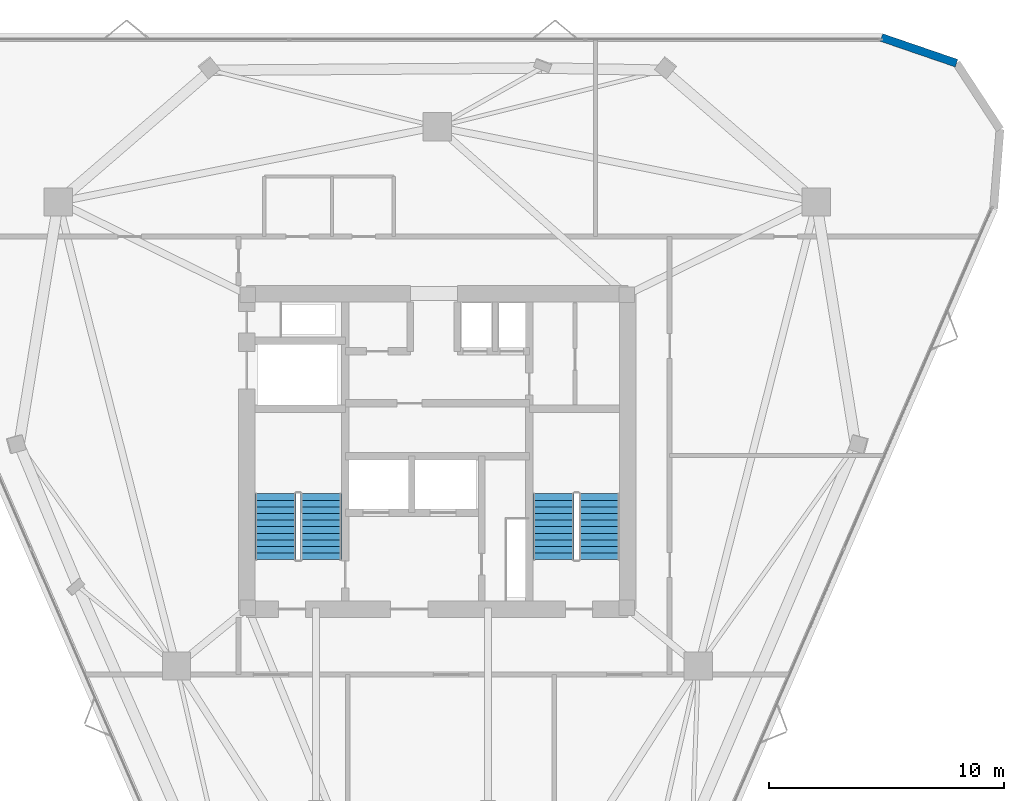
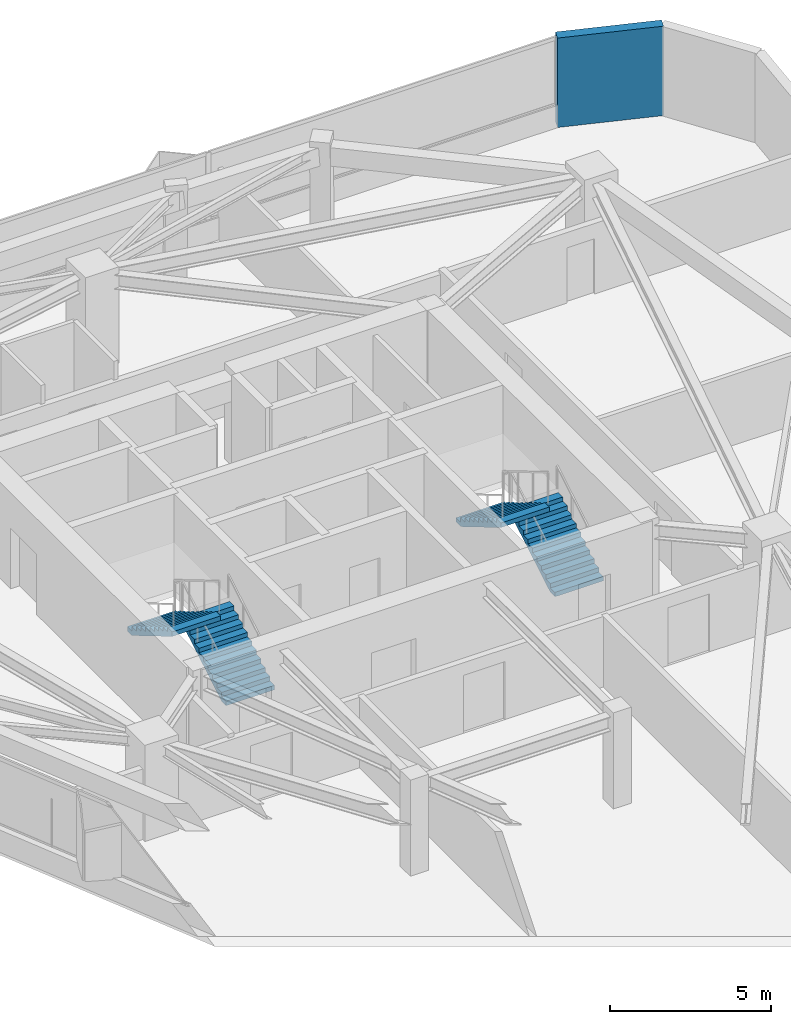
# One storey, part 10 of 11: 4 stair flights, 1 wall, 2 elements without a shape of their own.
"""IFC4 building model written with IfcOpenShell, lengths in metres."""

from ifc_helpers import new_model, si_unit, direction, frame, frame_2d, origin, place, context, subcontext, project, spatial, polyline, rectangle, outline, extrude, material, layer, layer_set, type_object, element, aggregate, save


model = new_model("IFC4")

# Units and contexts
model_context = context("Model", 3, precision=1e-05, world=origin(), true_north=direction((0.0, 1.0)))
body_context = subcontext(model_context, "Body", "Model", "MODEL_VIEW")
ifc_project = project(units=[si_unit("LENGTHUNIT", "METRE"), si_unit("AREAUNIT", "SQUARE_METRE"), si_unit("VOLUMEUNIT", "CUBIC_METRE"), si_unit("PLANEANGLEUNIT", "RADIAN"), si_unit("MASSUNIT", "GRAM", prefix="KILO")], contexts=[model_context])

# Site, building, storey
site_placement = place(None, origin())
site = spatial("IfcSite", under=ifc_project, at=site_placement, CompositionType="ELEMENT")
building_placement = place(site_placement, origin())
building = spatial("IfcBuilding", under=site, at=building_placement, Name="Talyreon Biosciences Tower", CompositionType="ELEMENT")
storey_placement = place(building_placement, frame((0.0, 0.0, 242.550048828125)))
storey = spatial("IfcBuildingStorey", under=building, at=storey_placement, Name="L64", CompositionType="ELEMENT", Elevation=242.550048828125)

# Wall
ifc_material_1 = material(Name="Precast concrete C45/55", Category="concrete")
ifc_layer = layer(ifc_material_1, 0.340087890625)
ifc_layer_set = layer_set([ifc_layer], Name="Precast concrete C45/55")
wall_type = type_object("IfcWallType", Name="PrecastConcreteSpandrelWall_340", PredefinedType="STANDARD", material=ifc_layer_set)
wall_placement = place(storey_placement, frame((84.869140625, 85.584716796875, 0.0), z_axis=(0.0, 0.0, 1.0), x_axis=(0.946043059633, -0.324040937724, 0.0)))
element("IfcWall", 1, at=wall_placement, inside=storey, type_object=wall_type, Name="L64 Rounded-Corner Concrete Pier 05", PredefinedType="STANDARD", context=body_context, shape_type="SweptSolid", body=[
    extrude(rectangle(XDim=3.3701171875, YDim=0.340087890625, at=frame_2d((1.68505859375, 0.0))), origin(), (0.0, 0.0, 1.0), 3.39990234375),
])

# Stair, stair flights
ifc_material_2 = material(Name="Concrete C40/50", Category="concrete")
stair_type = type_object("IfcStairType", Name="DoglegEscapeStair_3650", PredefinedType="HALF_TURN_STAIR", material=ifc_material_2)
stair_1_placement = place(storey_placement, origin())
stair_1 = element("IfcStair", 2, at=stair_1_placement, inside=storey, type_object=stair_type, Name="L64 Core Escape Stair 1", PredefinedType="HALF_TURN_STAIR")
stair_flight_type = type_object("IfcStairFlightType", Name="PrecastStairFlight_3650", PredefinedType="STRAIGHT", material=ifc_material_2)
stair_flight_1_placement = place(storey_placement, frame((61.06005859375, 63.39990234375, 0.0), z_axis=(0.0, 0.0, 1.0), x_axis=(0.0, 1.0, 0.0)))
stair_flight_1 = element("IfcStairFlight", 3, at=stair_flight_1_placement, type_object=stair_flight_type, Name="ST-1 flight 1", NumberOfRisers=11, NumberOfTreads=10, PredefinedType="STRAIGHT", RiserHeight=0.165909091, TreadLength=0.28, context=body_context, shape_type="SweptSolid", body=[
    extrude(outline(polyline([(0.0, 0.0), (0.0, 0.166015625), (0.280029296875, 0.166015625), (0.280029296875, 0.331787109375), (0.56005859375, 0.331787109375), (0.56005859375, 0.497802734375), (0.840087890625, 0.497802734375), (0.840087890625, 0.66357421875), (1.1201171875, 0.66357421875), (1.1201171875, 0.82958984375), (1.39990234375, 0.82958984375), (1.39990234375, 0.995361328125), (1.679931640625, 0.995361328125), (1.679931640625, 1.161376953125), (1.9599609375, 1.161376953125), (1.9599609375, 1.327392578125), (2.239990234375, 1.327392578125), (2.239990234375, 1.4931640625), (2.52001953125, 1.4931640625), (2.52001953125, 1.6591796875), (2.800048828125, 1.6591796875), (2.800048828125, 1.824951171875), (2.800048828125, 1.48486328125), (0.2939453125, 0.0), (0.0, 0.0)])), frame((0.0, 0.8701171875, 0.0), z_axis=(0.0, -1.0, 0.0), x_axis=(1.0, 0.0, 0.0)), (0.0, 0.0, 1.0), 1.739990234375),
])
stair_flight_2_placement = place(storey_placement, frame((59.1201171875, 66.199951171875, 1.824951171875), z_axis=(0.0, 0.0, 1.0), x_axis=(0.0, -1.0, 0.0)))
stair_flight_2 = element("IfcStairFlight", 4, at=stair_flight_2_placement, type_object=stair_flight_type, Name="ST-1 flight 2", NumberOfRisers=11, NumberOfTreads=10, PredefinedType="STRAIGHT", RiserHeight=0.165909091, TreadLength=0.28, context=body_context, shape_type="SweptSolid", body=[
    extrude(outline(polyline([(0.0, 0.0), (0.0, 0.166015625), (0.280029296875, 0.166015625), (0.280029296875, 0.331787109375), (0.56005859375, 0.331787109375), (0.56005859375, 0.497802734375), (0.840087890625, 0.497802734375), (0.840087890625, 0.66357421875), (1.1201171875, 0.66357421875), (1.1201171875, 0.82958984375), (1.39990234375, 0.82958984375), (1.39990234375, 0.995361328125), (1.679931640625, 0.995361328125), (1.679931640625, 1.161376953125), (1.9599609375, 1.161376953125), (1.9599609375, 1.327392578125), (2.239990234375, 1.327392578125), (2.239990234375, 1.4931640625), (2.52001953125, 1.4931640625), (2.52001953125, 1.6591796875), (2.800048828125, 1.6591796875), (2.800048828125, 1.824951171875), (2.800048828125, 1.48486328125), (0.2939453125, 0.0), (0.0, 0.0)])), frame((0.0, 0.8701171875, 0.0), z_axis=(0.0, -1.0, 0.0), x_axis=(1.0, 0.0, 0.0)), (0.0, 0.0, 1.0), 1.739990234375),
])
aggregate(stair_1, [stair_flight_1, stair_flight_2])

stair_2_placement = place(storey_placement, origin())
stair_2 = element("IfcStair", 5, at=stair_2_placement, inside=storey, type_object=stair_type, Name="L64 Core Escape Stair 2", PredefinedType="HALF_TURN_STAIR")
stair_flight_3_placement = place(storey_placement, frame((72.8798828125, 63.39990234375, 0.0), z_axis=(0.0, 0.0, 1.0), x_axis=(0.0, 1.0, 0.0)))
stair_flight_3 = element("IfcStairFlight", 6, at=stair_flight_3_placement, type_object=stair_flight_type, Name="ST-2 flight 1", NumberOfRisers=11, NumberOfTreads=10, PredefinedType="STRAIGHT", RiserHeight=0.165909091, TreadLength=0.28, context=body_context, shape_type="SweptSolid", body=[
    extrude(outline(polyline([(0.0, 0.0), (0.0, 0.166015625), (0.280029296875, 0.166015625), (0.280029296875, 0.331787109375), (0.56005859375, 0.331787109375), (0.56005859375, 0.497802734375), (0.840087890625, 0.497802734375), (0.840087890625, 0.66357421875), (1.1201171875, 0.66357421875), (1.1201171875, 0.82958984375), (1.39990234375, 0.82958984375), (1.39990234375, 0.995361328125), (1.679931640625, 0.995361328125), (1.679931640625, 1.161376953125), (1.9599609375, 1.161376953125), (1.9599609375, 1.327392578125), (2.239990234375, 1.327392578125), (2.239990234375, 1.4931640625), (2.52001953125, 1.4931640625), (2.52001953125, 1.6591796875), (2.800048828125, 1.6591796875), (2.800048828125, 1.824951171875), (2.800048828125, 1.48486328125), (0.2939453125, 0.0), (0.0, 0.0)])), frame((0.0, 0.8701171875, 0.0), z_axis=(0.0, -1.0, 0.0), x_axis=(1.0, 0.0, 0.0)), (0.0, 0.0, 1.0), 1.739990234375),
])
stair_flight_4_placement = place(storey_placement, frame((70.93994140625, 66.199951171875, 1.824951171875), z_axis=(0.0, 0.0, 1.0), x_axis=(0.0, -1.0, 0.0)))
stair_flight_4 = element("IfcStairFlight", 7, at=stair_flight_4_placement, type_object=stair_flight_type, Name="ST-2 flight 2", NumberOfRisers=11, NumberOfTreads=10, PredefinedType="STRAIGHT", RiserHeight=0.165909091, TreadLength=0.28, context=body_context, shape_type="SweptSolid", body=[
    extrude(outline(polyline([(0.0, 0.0), (0.0, 0.166015625), (0.280029296875, 0.166015625), (0.280029296875, 0.331787109375), (0.56005859375, 0.331787109375), (0.56005859375, 0.497802734375), (0.840087890625, 0.497802734375), (0.840087890625, 0.66357421875), (1.1201171875, 0.66357421875), (1.1201171875, 0.82958984375), (1.39990234375, 0.82958984375), (1.39990234375, 0.995361328125), (1.679931640625, 0.995361328125), (1.679931640625, 1.161376953125), (1.9599609375, 1.161376953125), (1.9599609375, 1.327392578125), (2.239990234375, 1.327392578125), (2.239990234375, 1.4931640625), (2.52001953125, 1.4931640625), (2.52001953125, 1.6591796875), (2.800048828125, 1.6591796875), (2.800048828125, 1.824951171875), (2.800048828125, 1.48486328125), (0.2939453125, 0.0), (0.0, 0.0)])), frame((0.0, 0.8701171875, 0.0), z_axis=(0.0, -1.0, 0.0), x_axis=(1.0, 0.0, 0.0)), (0.0, 0.0, 1.0), 1.739990234375),
])
aggregate(stair_2, [stair_flight_3, stair_flight_4])

save(model, "model.ifc")
